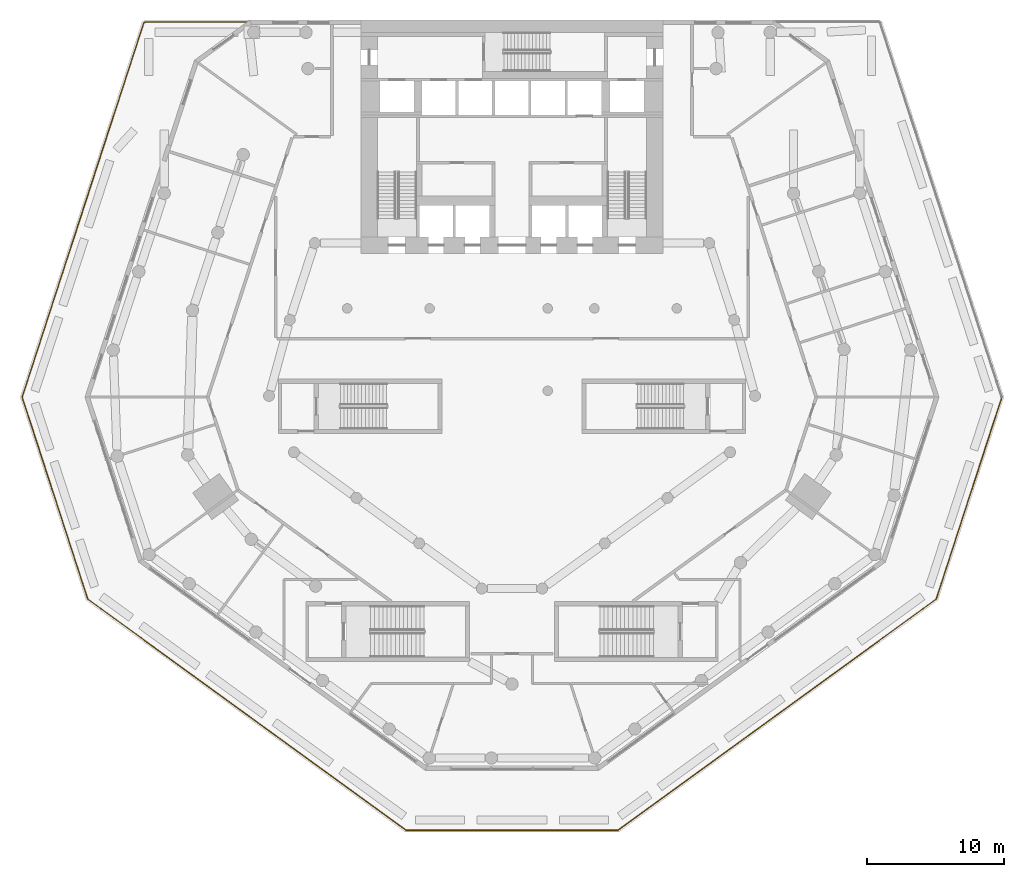
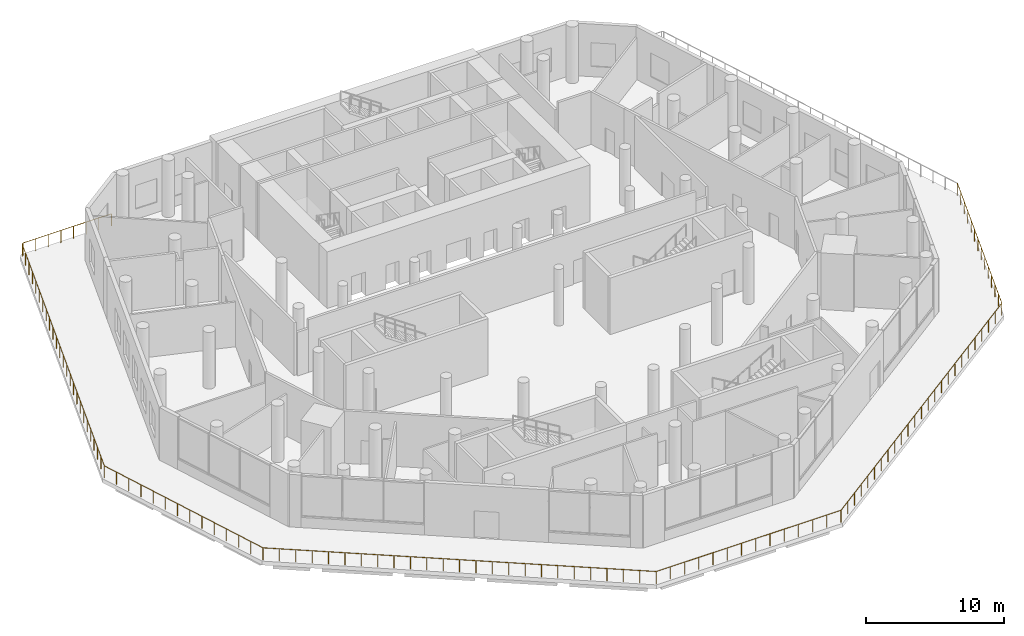
# One storey, part 16 of 19: 1 railing.
"""IFC4 building model written with IfcOpenShell, lengths in metres."""

from ifc_helpers import new_model, si_unit, direction, frame, origin, origin_2d, place, context, subcontext, project, spatial, circle, extrude, material, type_object, element, save


model = new_model("IFC4")

# Units and contexts
model_context = context("Model", 3, precision=1e-05, world=origin(), true_north=direction((0.0, 1.0)))
body_context = subcontext(model_context, "Body", "Model", "MODEL_VIEW")
ifc_project = project(units=[si_unit("LENGTHUNIT", "METRE"), si_unit("AREAUNIT", "SQUARE_METRE"), si_unit("VOLUMEUNIT", "CUBIC_METRE"), si_unit("PLANEANGLEUNIT", "RADIAN"), si_unit("MASSUNIT", "GRAM", prefix="KILO")], contexts=[model_context])

# Site, building, storey
site_placement = place(None, origin())
site = spatial("IfcSite", under=ifc_project, at=site_placement, CompositionType="ELEMENT")
building_placement = place(site_placement, origin())
building = spatial("IfcBuilding", under=site, at=building_placement, Name="White Candle Pilgrim Tower", CompositionType="ELEMENT")
storey_placement = place(building_placement, frame((0.0, 0.0, 29.0)))
storey = spatial("IfcBuildingStorey", under=building, at=storey_placement, Name="L04", CompositionType="ELEMENT", Elevation=29.0)

# Railing
ifc_material = material(Name="Steel S355 painted", Category="steel")
railing_type = type_object("IfcRailingType", Name="Guard GD1 1100", PredefinedType="GUARDRAIL", material=ifc_material)
railing_placement = place(storey_placement, frame((105.6650390625, 60.539306640625, 0.0)))
element("IfcRailing", 1, at=railing_placement, inside=storey, type_object=railing_type, Name="Terrace guard L04", PredefinedType="GUARDRAIL", context=body_context, shape_type="SweptSolid", body=[
    extrude(circle(Radius=0.02490234375, at=origin_2d()), frame((0.0, 0.0, 1.0751953125), z_axis=(-0.309022152876, -0.951054840181, 0.0), x_axis=(0.951054840181, -0.309022152876, 0.0)), (0.0, 0.0, 1.0), 15.45947265625),
    extrude(circle(Radius=0.02490234375, at=origin_2d()), frame((-4.77734375, -14.702880859375, 1.0751953125), z_axis=(-0.809016661953, -0.587785709832, 0.0), x_axis=(0.587785709832, -0.809016661953, 0.0)), (0.0, 0.0, 1.0), 28.625244140625),
    extrude(circle(Radius=0.02490234375, at=origin_2d()), frame((-27.935546875, -31.5283203125, 1.0751953125), z_axis=(-1.0, 0.0, 0.0), x_axis=(0.0, -1.0, 0.0)), (0.0, 0.0, 1.0), 15.458984375),
    extrude(circle(Radius=0.02490234375, at=origin_2d()), frame((-43.39453125, -31.5283203125, 1.0751953125), z_axis=(-0.809016661953, 0.587785709832, 0.0), x_axis=(-0.587785709832, -0.809016661953, 0.0)), (0.0, 0.0, 1.0), 28.625244140625),
    extrude(circle(Radius=0.02490234375, at=origin_2d()), frame((-66.552734375, -14.702880859375, 1.0751953125), z_axis=(-0.309022152876, 0.951054840181, 0.0), x_axis=(-0.951054840181, -0.309022152876, 0.0)), (0.0, 0.0, 1.0), 15.45947265625),
    extrude(circle(Radius=0.02490234375, at=origin_2d()), frame((-71.330078125, 0.0, 1.0751953125), z_axis=(0.309021079922, 0.951055188811, 0.0), x_axis=(-0.951055188811, 0.309021079922, 0.0)), (0.0, 0.0, 1.0), 28.625),
    extrude(circle(Radius=0.02490234375, at=origin_2d()), frame((-62.484375, 27.223876953125, 1.0751953125), z_axis=(0.808450017337, 0.588564838797, 0.0), x_axis=(-0.588564838797, 0.808450017337, 0.0)), (0.0, 0.0, 1.0), 0.147705078125),
    extrude(circle(Radius=0.02490234375, at=origin_2d()), frame((-62.364990234375, 27.310791015625, 1.0751953125), z_axis=(1.0, 0.0, 0.0), x_axis=(0.0, 1.0, 0.0)), (0.0, 0.0, 1.0), 7.400634765625),
    extrude(circle(Radius=0.02490234375, at=origin_2d()), origin(), (0.0, 0.0, 1.0), 1.050048828125),
    extrude(circle(Radius=0.02490234375, at=origin_2d()), frame((-0.367431640625, -1.131103515625, 0.0)), (0.0, 0.0, 1.0), 1.050048828125),
    extrude(circle(Radius=0.02490234375, at=origin_2d()), frame((-0.73486328125, -2.261962890625, 0.0)), (0.0, 0.0, 1.0), 1.050048828125),
    extrude(circle(Radius=0.02490234375, at=origin_2d()), frame((-1.1025390625, -3.39306640625, 0.0)), (0.0, 0.0, 1.0), 1.050048828125),
    extrude(circle(Radius=0.02490234375, at=origin_2d()), frame((-1.469970703125, -4.52392578125, 0.0)), (0.0, 0.0, 1.0), 1.050048828125),
    extrude(circle(Radius=0.02490234375, at=origin_2d()), frame((-1.83740234375, -5.655029296875, 0.0)), (0.0, 0.0, 1.0), 1.050048828125),
    extrude(circle(Radius=0.02490234375, at=origin_2d()), frame((-2.204833984375, -6.785888671875, 0.0)), (0.0, 0.0, 1.0), 1.050048828125),
    extrude(circle(Radius=0.02490234375, at=origin_2d()), frame((-2.572509765625, -7.9169921875, 0.0)), (0.0, 0.0, 1.0), 1.050048828125),
    extrude(circle(Radius=0.02490234375, at=origin_2d()), frame((-2.93994140625, -9.0478515625, 0.0)), (0.0, 0.0, 1.0), 1.050048828125),
    extrude(circle(Radius=0.02490234375, at=origin_2d()), frame((-3.307373046875, -10.178955078125, 0.0)), (0.0, 0.0, 1.0), 1.050048828125),
    extrude(circle(Radius=0.02490234375, at=origin_2d()), frame((-3.6748046875, -11.309814453125, 0.0)), (0.0, 0.0, 1.0), 1.050048828125),
    extrude(circle(Radius=0.02490234375, at=origin_2d()), frame((-4.04248046875, -12.44091796875, 0.0)), (0.0, 0.0, 1.0), 1.050048828125),
    extrude(circle(Radius=0.02490234375, at=origin_2d()), frame((-4.409912109375, -13.57177734375, 0.0)), (0.0, 0.0, 1.0), 1.050048828125),
    extrude(circle(Radius=0.02490234375, at=origin_2d()), frame((-4.77734375, -14.702880859375, 0.0)), (0.0, 0.0, 1.0), 1.050048828125),
    extrude(circle(Radius=0.02490234375, at=origin_2d()), frame((-5.7421875, -15.404052734375, 0.0)), (0.0, 0.0, 1.0), 1.050048828125),
    extrude(circle(Radius=0.02490234375, at=origin_2d()), frame((-6.707275390625, -16.10498046875, 0.0)), (0.0, 0.0, 1.0), 1.050048828125),
    extrude(circle(Radius=0.02490234375, at=origin_2d()), frame((-7.672119140625, -16.80615234375, 0.0)), (0.0, 0.0, 1.0), 1.050048828125),
    extrude(circle(Radius=0.02490234375, at=origin_2d()), frame((-8.636962890625, -17.507080078125, 0.0)), (0.0, 0.0, 1.0), 1.050048828125),
    extrude(circle(Radius=0.02490234375, at=origin_2d()), frame((-9.60205078125, -18.208251953125, 0.0)), (0.0, 0.0, 1.0), 1.050048828125),
    extrude(circle(Radius=0.02490234375, at=origin_2d()), frame((-10.56689453125, -18.9091796875, 0.0)), (0.0, 0.0, 1.0), 1.050048828125),
    extrude(circle(Radius=0.02490234375, at=origin_2d()), frame((-11.53173828125, -19.6103515625, 0.0)), (0.0, 0.0, 1.0), 1.050048828125),
    extrude(circle(Radius=0.02490234375, at=origin_2d()), frame((-12.496826171875, -20.311279296875, 0.0)), (0.0, 0.0, 1.0), 1.050048828125),
    extrude(circle(Radius=0.02490234375, at=origin_2d()), frame((-13.461669921875, -21.012451171875, 0.0)), (0.0, 0.0, 1.0), 1.050048828125),
    extrude(circle(Radius=0.02490234375, at=origin_2d()), frame((-14.426513671875, -21.71337890625, 0.0)), (0.0, 0.0, 1.0), 1.050048828125),
    extrude(circle(Radius=0.02490234375, at=origin_2d()), frame((-15.3916015625, -22.41455078125, 0.0)), (0.0, 0.0, 1.0), 1.050048828125),
    extrude(circle(Radius=0.02490234375, at=origin_2d()), frame((-16.3564453125, -23.11572265625, 0.0)), (0.0, 0.0, 1.0), 1.050048828125),
    extrude(circle(Radius=0.02490234375, at=origin_2d()), frame((-17.3212890625, -23.816650390625, 0.0)), (0.0, 0.0, 1.0), 1.050048828125),
    extrude(circle(Radius=0.02490234375, at=origin_2d()), frame((-18.286376953125, -24.517822265625, 0.0)), (0.0, 0.0, 1.0), 1.050048828125),
    extrude(circle(Radius=0.02490234375, at=origin_2d()), frame((-19.251220703125, -25.21875, 0.0)), (0.0, 0.0, 1.0), 1.050048828125),
    extrude(circle(Radius=0.02490234375, at=origin_2d()), frame((-20.216064453125, -25.919921875, 0.0)), (0.0, 0.0, 1.0), 1.050048828125),
    extrude(circle(Radius=0.02490234375, at=origin_2d()), frame((-21.18115234375, -26.620849609375, 0.0)), (0.0, 0.0, 1.0), 1.050048828125),
    extrude(circle(Radius=0.02490234375, at=origin_2d()), frame((-22.14599609375, -27.322021484375, 0.0)), (0.0, 0.0, 1.0), 1.050048828125),
    extrude(circle(Radius=0.02490234375, at=origin_2d()), frame((-23.11083984375, -28.02294921875, 0.0)), (0.0, 0.0, 1.0), 1.050048828125),
    extrude(circle(Radius=0.02490234375, at=origin_2d()), frame((-24.075927734375, -28.72412109375, 0.0)), (0.0, 0.0, 1.0), 1.050048828125),
    extrude(circle(Radius=0.02490234375, at=origin_2d()), frame((-25.040771484375, -29.425048828125, 0.0)), (0.0, 0.0, 1.0), 1.050048828125),
    extrude(circle(Radius=0.02490234375, at=origin_2d()), frame((-26.005615234375, -30.126220703125, 0.0)), (0.0, 0.0, 1.0), 1.050048828125),
    extrude(circle(Radius=0.02490234375, at=origin_2d()), frame((-26.970703125, -30.8271484375, 0.0)), (0.0, 0.0, 1.0), 1.050048828125),
    extrude(circle(Radius=0.02490234375, at=origin_2d()), frame((-27.935546875, -31.5283203125, 0.0)), (0.0, 0.0, 1.0), 1.050048828125),
    extrude(circle(Radius=0.02490234375, at=origin_2d()), frame((-29.124755859375, -31.5283203125, 0.0)), (0.0, 0.0, 1.0), 1.050048828125),
    extrude(circle(Radius=0.02490234375, at=origin_2d()), frame((-30.31396484375, -31.5283203125, 0.0)), (0.0, 0.0, 1.0), 1.050048828125),
    extrude(circle(Radius=0.02490234375, at=origin_2d()), frame((-31.5029296875, -31.5283203125, 0.0)), (0.0, 0.0, 1.0), 1.050048828125),
    extrude(circle(Radius=0.02490234375, at=origin_2d()), frame((-32.692138671875, -31.5283203125, 0.0)), (0.0, 0.0, 1.0), 1.050048828125),
    extrude(circle(Radius=0.02490234375, at=origin_2d()), frame((-33.88134765625, -31.5283203125, 0.0)), (0.0, 0.0, 1.0), 1.050048828125),
    extrude(circle(Radius=0.02490234375, at=origin_2d()), frame((-35.070556640625, -31.5283203125, 0.0)), (0.0, 0.0, 1.0), 1.050048828125),
    extrude(circle(Radius=0.02490234375, at=origin_2d()), frame((-36.259521484375, -31.5283203125, 0.0)), (0.0, 0.0, 1.0), 1.050048828125),
    extrude(circle(Radius=0.02490234375, at=origin_2d()), frame((-37.44873046875, -31.5283203125, 0.0)), (0.0, 0.0, 1.0), 1.050048828125),
    extrude(circle(Radius=0.02490234375, at=origin_2d()), frame((-38.637939453125, -31.5283203125, 0.0)), (0.0, 0.0, 1.0), 1.050048828125),
    extrude(circle(Radius=0.02490234375, at=origin_2d()), frame((-39.8271484375, -31.5283203125, 0.0)), (0.0, 0.0, 1.0), 1.050048828125),
    extrude(circle(Radius=0.02490234375, at=origin_2d()), frame((-41.01611328125, -31.5283203125, 0.0)), (0.0, 0.0, 1.0), 1.050048828125),
    extrude(circle(Radius=0.02490234375, at=origin_2d()), frame((-42.205322265625, -31.5283203125, 0.0)), (0.0, 0.0, 1.0), 1.050048828125),
    extrude(circle(Radius=0.02490234375, at=origin_2d()), frame((-43.39453125, -31.5283203125, 0.0)), (0.0, 0.0, 1.0), 1.050048828125),
    extrude(circle(Radius=0.02490234375, at=origin_2d()), frame((-44.359375, -30.8271484375, 0.0)), (0.0, 0.0, 1.0), 1.050048828125),
    extrude(circle(Radius=0.02490234375, at=origin_2d()), frame((-45.324462890625, -30.126220703125, 0.0)), (0.0, 0.0, 1.0), 1.050048828125),
    extrude(circle(Radius=0.02490234375, at=origin_2d()), frame((-46.289306640625, -29.425048828125, 0.0)), (0.0, 0.0, 1.0), 1.050048828125),
    extrude(circle(Radius=0.02490234375, at=origin_2d()), frame((-47.254150390625, -28.72412109375, 0.0)), (0.0, 0.0, 1.0), 1.050048828125),
    extrude(circle(Radius=0.02490234375, at=origin_2d()), frame((-48.21923828125, -28.02294921875, 0.0)), (0.0, 0.0, 1.0), 1.050048828125),
    extrude(circle(Radius=0.02490234375, at=origin_2d()), frame((-49.18408203125, -27.322021484375, 0.0)), (0.0, 0.0, 1.0), 1.050048828125),
    extrude(circle(Radius=0.02490234375, at=origin_2d()), frame((-50.14892578125, -26.620849609375, 0.0)), (0.0, 0.0, 1.0), 1.050048828125),
    extrude(circle(Radius=0.02490234375, at=origin_2d()), frame((-51.114013671875, -25.919921875, 0.0)), (0.0, 0.0, 1.0), 1.050048828125),
    extrude(circle(Radius=0.02490234375, at=origin_2d()), frame((-52.078857421875, -25.21875, 0.0)), (0.0, 0.0, 1.0), 1.050048828125),
    extrude(circle(Radius=0.02490234375, at=origin_2d()), frame((-53.043701171875, -24.517822265625, 0.0)), (0.0, 0.0, 1.0), 1.050048828125),
    extrude(circle(Radius=0.02490234375, at=origin_2d()), frame((-54.0087890625, -23.816650390625, 0.0)), (0.0, 0.0, 1.0), 1.050048828125),
    extrude(circle(Radius=0.02490234375, at=origin_2d()), frame((-54.9736328125, -23.11572265625, 0.0)), (0.0, 0.0, 1.0), 1.050048828125),
    extrude(circle(Radius=0.02490234375, at=origin_2d()), frame((-55.9384765625, -22.41455078125, 0.0)), (0.0, 0.0, 1.0), 1.050048828125),
    extrude(circle(Radius=0.02490234375, at=origin_2d()), frame((-56.903564453125, -21.71337890625, 0.0)), (0.0, 0.0, 1.0), 1.050048828125),
    extrude(circle(Radius=0.02490234375, at=origin_2d()), frame((-57.868408203125, -21.012451171875, 0.0)), (0.0, 0.0, 1.0), 1.050048828125),
    extrude(circle(Radius=0.02490234375, at=origin_2d()), frame((-58.833251953125, -20.311279296875, 0.0)), (0.0, 0.0, 1.0), 1.050048828125),
    extrude(circle(Radius=0.02490234375, at=origin_2d()), frame((-59.79833984375, -19.6103515625, 0.0)), (0.0, 0.0, 1.0), 1.050048828125),
    extrude(circle(Radius=0.02490234375, at=origin_2d()), frame((-60.76318359375, -18.9091796875, 0.0)), (0.0, 0.0, 1.0), 1.050048828125),
    extrude(circle(Radius=0.02490234375, at=origin_2d()), frame((-61.72802734375, -18.208251953125, 0.0)), (0.0, 0.0, 1.0), 1.050048828125),
    extrude(circle(Radius=0.02490234375, at=origin_2d()), frame((-62.693115234375, -17.507080078125, 0.0)), (0.0, 0.0, 1.0), 1.050048828125),
    extrude(circle(Radius=0.02490234375, at=origin_2d()), frame((-63.657958984375, -16.80615234375, 0.0)), (0.0, 0.0, 1.0), 1.050048828125),
    extrude(circle(Radius=0.02490234375, at=origin_2d()), frame((-64.622802734375, -16.10498046875, 0.0)), (0.0, 0.0, 1.0), 1.050048828125),
    extrude(circle(Radius=0.02490234375, at=origin_2d()), frame((-65.587890625, -15.404052734375, 0.0)), (0.0, 0.0, 1.0), 1.050048828125),
    extrude(circle(Radius=0.02490234375, at=origin_2d()), frame((-66.552734375, -14.702880859375, 0.0)), (0.0, 0.0, 1.0), 1.050048828125),
    extrude(circle(Radius=0.02490234375, at=origin_2d()), frame((-66.920166015625, -13.57177734375, 0.0)), (0.0, 0.0, 1.0), 1.050048828125),
    extrude(circle(Radius=0.02490234375, at=origin_2d()), frame((-67.28759765625, -12.44091796875, 0.0)), (0.0, 0.0, 1.0), 1.050048828125),
    extrude(circle(Radius=0.02490234375, at=origin_2d()), frame((-67.6552734375, -11.309814453125, 0.0)), (0.0, 0.0, 1.0), 1.050048828125),
    extrude(circle(Radius=0.02490234375, at=origin_2d()), frame((-68.022705078125, -10.178955078125, 0.0)), (0.0, 0.0, 1.0), 1.050048828125),
    extrude(circle(Radius=0.02490234375, at=origin_2d()), frame((-68.39013671875, -9.0478515625, 0.0)), (0.0, 0.0, 1.0), 1.050048828125),
    extrude(circle(Radius=0.02490234375, at=origin_2d()), frame((-68.757568359375, -7.9169921875, 0.0)), (0.0, 0.0, 1.0), 1.050048828125),
    extrude(circle(Radius=0.02490234375, at=origin_2d()), frame((-69.125244140625, -6.785888671875, 0.0)), (0.0, 0.0, 1.0), 1.050048828125),
    extrude(circle(Radius=0.02490234375, at=origin_2d()), frame((-69.49267578125, -5.655029296875, 0.0)), (0.0, 0.0, 1.0), 1.050048828125),
    extrude(circle(Radius=0.02490234375, at=origin_2d()), frame((-69.860107421875, -4.52392578125, 0.0)), (0.0, 0.0, 1.0), 1.050048828125),
    extrude(circle(Radius=0.02490234375, at=origin_2d()), frame((-70.2275390625, -3.39306640625, 0.0)), (0.0, 0.0, 1.0), 1.050048828125),
    extrude(circle(Radius=0.02490234375, at=origin_2d()), frame((-70.59521484375, -2.261962890625, 0.0)), (0.0, 0.0, 1.0), 1.050048828125),
    extrude(circle(Radius=0.02490234375, at=origin_2d()), frame((-70.962646484375, -1.131103515625, 0.0)), (0.0, 0.0, 1.0), 1.050048828125),
    extrude(circle(Radius=0.02490234375, at=origin_2d()), frame((-71.330078125, 0.0, 0.0)), (0.0, 0.0, 1.0), 1.050048828125),
    extrude(circle(Radius=0.02490234375, at=origin_2d()), frame((-70.96142578125, 1.13427734375, 0.0)), (0.0, 0.0, 1.0), 1.050048828125),
    extrude(circle(Radius=0.02490234375, at=origin_2d()), frame((-70.593017578125, 2.2685546875, 0.0)), (0.0, 0.0, 1.0), 1.050048828125),
    extrude(circle(Radius=0.02490234375, at=origin_2d()), frame((-70.224365234375, 3.403076171875, 0.0)), (0.0, 0.0, 1.0), 1.050048828125),
    extrude(circle(Radius=0.02490234375, at=origin_2d()), frame((-69.855712890625, 4.537353515625, 0.0)), (0.0, 0.0, 1.0), 1.050048828125),
    extrude(circle(Radius=0.02490234375, at=origin_2d()), frame((-69.4873046875, 5.671630859375, 0.0)), (0.0, 0.0, 1.0), 1.050048828125),
    extrude(circle(Radius=0.02490234375, at=origin_2d()), frame((-69.11865234375, 6.805908203125, 0.0)), (0.0, 0.0, 1.0), 1.050048828125),
    extrude(circle(Radius=0.02490234375, at=origin_2d()), frame((-68.75, 7.940185546875, 0.0)), (0.0, 0.0, 1.0), 1.050048828125),
    extrude(circle(Radius=0.02490234375, at=origin_2d()), frame((-68.381591796875, 9.07470703125, 0.0)), (0.0, 0.0, 1.0), 1.050048828125),
    extrude(circle(Radius=0.02490234375, at=origin_2d()), frame((-68.012939453125, 10.208984375, 0.0)), (0.0, 0.0, 1.0), 1.050048828125),
    extrude(circle(Radius=0.02490234375, at=origin_2d()), frame((-67.644287109375, 11.34326171875, 0.0)), (0.0, 0.0, 1.0), 1.050048828125),
    extrude(circle(Radius=0.02490234375, at=origin_2d()), frame((-67.27587890625, 12.4775390625, 0.0)), (0.0, 0.0, 1.0), 1.050048828125),
    extrude(circle(Radius=0.02490234375, at=origin_2d()), frame((-66.9072265625, 13.61181640625, 0.0)), (0.0, 0.0, 1.0), 1.050048828125),
    extrude(circle(Radius=0.02490234375, at=origin_2d()), frame((-66.53857421875, 14.746337890625, 0.0)), (0.0, 0.0, 1.0), 1.050048828125),
    extrude(circle(Radius=0.02490234375, at=origin_2d()), frame((-66.170166015625, 15.880615234375, 0.0)), (0.0, 0.0, 1.0), 1.050048828125),
    extrude(circle(Radius=0.02490234375, at=origin_2d()), frame((-65.801513671875, 17.014892578125, 0.0)), (0.0, 0.0, 1.0), 1.050048828125),
    extrude(circle(Radius=0.02490234375, at=origin_2d()), frame((-65.432861328125, 18.149169921875, 0.0)), (0.0, 0.0, 1.0), 1.050048828125),
    extrude(circle(Radius=0.02490234375, at=origin_2d()), frame((-65.064453125, 19.28369140625, 0.0)), (0.0, 0.0, 1.0), 1.050048828125),
    extrude(circle(Radius=0.02490234375, at=origin_2d()), frame((-64.69580078125, 20.41796875, 0.0)), (0.0, 0.0, 1.0), 1.050048828125),
    extrude(circle(Radius=0.02490234375, at=origin_2d()), frame((-64.3271484375, 21.55224609375, 0.0)), (0.0, 0.0, 1.0), 1.050048828125),
    extrude(circle(Radius=0.02490234375, at=origin_2d()), frame((-63.958740234375, 22.6865234375, 0.0)), (0.0, 0.0, 1.0), 1.050048828125),
    extrude(circle(Radius=0.02490234375, at=origin_2d()), frame((-63.590087890625, 23.82080078125, 0.0)), (0.0, 0.0, 1.0), 1.050048828125),
    extrude(circle(Radius=0.02490234375, at=origin_2d()), frame((-63.221435546875, 24.955322265625, 0.0)), (0.0, 0.0, 1.0), 1.050048828125),
    extrude(circle(Radius=0.02490234375, at=origin_2d()), frame((-62.85302734375, 26.089599609375, 0.0)), (0.0, 0.0, 1.0), 1.050048828125),
    extrude(circle(Radius=0.02490234375, at=origin_2d()), frame((-62.484375, 27.223876953125, 0.0)), (0.0, 0.0, 1.0), 1.050048828125),
    extrude(circle(Radius=0.02490234375, at=origin_2d()), frame((-62.364990234375, 27.310791015625, 0.0)), (0.0, 0.0, 1.0), 1.050048828125),
    extrude(circle(Radius=0.02490234375, at=origin_2d()), frame((-61.307861328125, 27.310791015625, 0.0)), (0.0, 0.0, 1.0), 1.050048828125),
    extrude(circle(Radius=0.02490234375, at=origin_2d()), frame((-60.25048828125, 27.310791015625, 0.0)), (0.0, 0.0, 1.0), 1.050048828125),
    extrude(circle(Radius=0.02490234375, at=origin_2d()), frame((-59.193359375, 27.310791015625, 0.0)), (0.0, 0.0, 1.0), 1.050048828125),
    extrude(circle(Radius=0.02490234375, at=origin_2d()), frame((-58.135986328125, 27.310791015625, 0.0)), (0.0, 0.0, 1.0), 1.050048828125),
    extrude(circle(Radius=0.02490234375, at=origin_2d()), frame((-57.078857421875, 27.310791015625, 0.0)), (0.0, 0.0, 1.0), 1.050048828125),
    extrude(circle(Radius=0.02490234375, at=origin_2d()), frame((-56.021484375, 27.310791015625, 0.0)), (0.0, 0.0, 1.0), 1.050048828125),
    extrude(circle(Radius=0.02490234375, at=origin_2d()), frame((-54.96435546875, 27.310791015625, 0.0)), (0.0, 0.0, 1.0), 1.050048828125),
])

save(model, "model.ifc")
